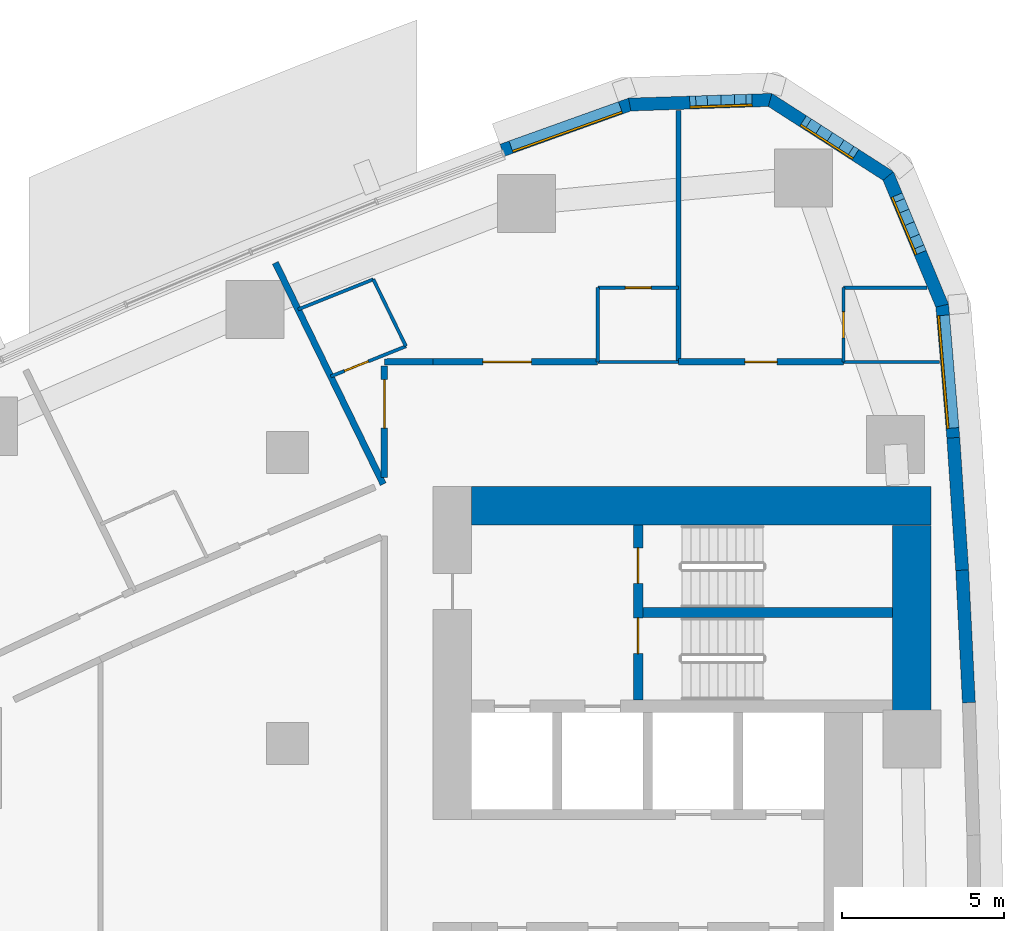
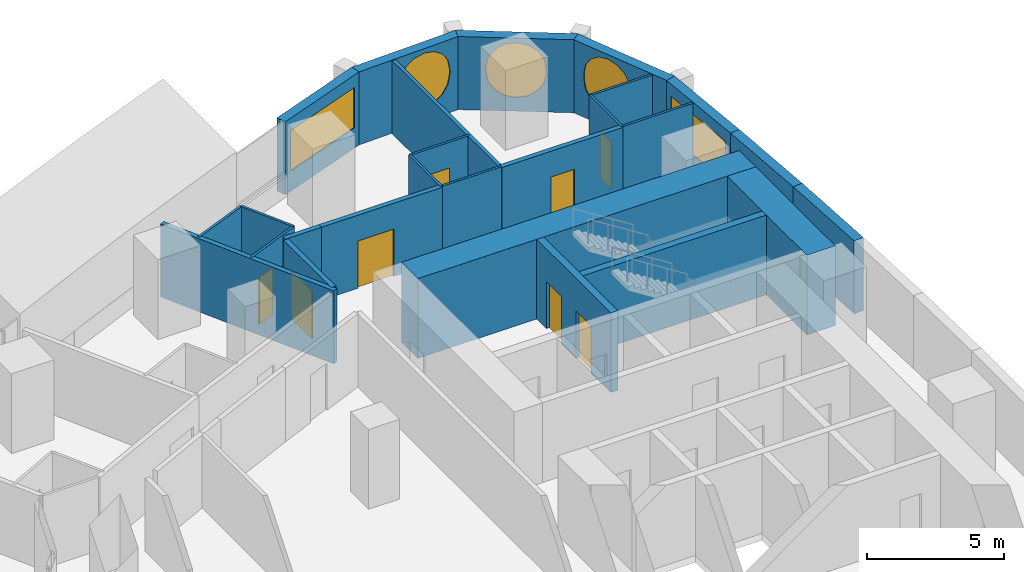
# One storey, part 13 of 19: 26 walls, 8 doors, 5 windows, 13 openings.
"""IFC4 building model written with IfcOpenShell, lengths in metres."""

from ifc_helpers import new_model, si_unit, direction, frame, frame_2d, origin, place, context, subcontext, project, spatial, polyline, rectangle, outline, extrude, material, layer, layer_set, type_object, element, fill, save


model = new_model("IFC4")

# Units and contexts
model_context = context("Model", 3, precision=1e-05, world=origin(), true_north=direction((0.0, 1.0)))
body_context = subcontext(model_context, "Body", "Model", "MODEL_VIEW")
ifc_project = project(units=[si_unit("LENGTHUNIT", "METRE"), si_unit("AREAUNIT", "SQUARE_METRE"), si_unit("VOLUMEUNIT", "CUBIC_METRE"), si_unit("PLANEANGLEUNIT", "RADIAN"), si_unit("MASSUNIT", "GRAM", prefix="KILO")], contexts=[model_context])

# Site, building, storey
site_placement = place(None, origin())
site = spatial("IfcSite", under=ifc_project, at=site_placement, CompositionType="ELEMENT")
building_placement = place(site_placement, origin())
building = spatial("IfcBuilding", under=site, at=building_placement, Name="Ostrand Prow Hotel Tower", CompositionType="ELEMENT")
storey_placement = place(building_placement, frame((0.0, 0.0, 53.800048828125)))
storey = spatial("IfcBuildingStorey", under=building, at=storey_placement, Name="L11", CompositionType="ELEMENT", Elevation=53.800048828125)

# Walls
ifc_material_1 = material(Name="Concrete C80/95", Category="concrete")
ifc_layer_1 = layer(ifc_material_1, 1.199951171875)
ifc_layer_set_1 = layer_set([ifc_layer_1], Name="Concrete C80/95")
wall_type_1 = type_object("IfcWallType", Name="Core wall 1200 C80/95", PredefinedType="SHEAR", material=ifc_layer_set_1)
wall_1_placement = place(storey_placement, frame((50.699951171875, 16.35009765625, 0.0), z_axis=(0.0, 0.0, 1.0), x_axis=(1.0, 0.0, 0.0)))
element("IfcWall", 1, at=wall_1_placement, inside=storey, type_object=wall_type_1, Name="Core wall CW-N", PredefinedType="SHEAR", context=body_context, shape_type="SweptSolid", body=[
    extrude(rectangle(XDim=14.219970703125, YDim=1.199951171875, at=frame_2d((7.10986328125, 0.0))), origin(), (0.0, 0.0, 1.0), 3.550048828125),
])
wall_2_placement = place(storey_placement, frame((64.320068359375, 9.949951171875, 0.0), z_axis=(0.0, 0.0, 1.0), x_axis=(0.0, 1.0, 0.0)))
element("IfcWall", 2, at=wall_2_placement, inside=storey, type_object=wall_type_1, Name="Core wall CW-E-N", PredefinedType="SHEAR", context=body_context, shape_type="SweptSolid", body=[
    extrude(rectangle(XDim=5.800048828125, YDim=1.199951171875, at=frame_2d((2.89990234375, 0.0))), origin(), (0.0, 0.0, 1.0), 3.550048828125),
])

# Wall, openings, doors
ifc_material_2 = material(Name="Concrete C80/95", Category="concrete")
ifc_layer_2 = layer(ifc_material_2, 0.300048828125)
ifc_layer_set_2 = layer_set([ifc_layer_2], Name="Concrete C80/95")
wall_type_2 = type_object("IfcWallType", Name="Core wall 300 C80/95", PredefinedType="SHEAR", material=ifc_layer_set_2)
wall_3_placement = place(storey_placement, frame((55.85009765625, 10.35009765625, 0.0), z_axis=(0.0, 0.0, 1.0), x_axis=(0.0, 1.0, 0.0)))
wall_3 = element("IfcWall", 3, at=wall_3_placement, inside=storey, type_object=wall_type_2, Name="Core wall PW-VN", PredefinedType="SHEAR", context=body_context, shape_type="SweptSolid", body=[
    extrude(rectangle(XDim=5.39990234375, YDim=0.300048828125, at=frame_2d((2.699951171875, 0.0))), origin(), (0.0, 0.0, 1.0), 3.550048828125),
])
opening_1_placement = place(wall_3_placement, frame((1.429931640625, 0.0, 0.0)))
opening_1 = element("IfcOpeningElement", 4, at=opening_1_placement, cuts=wall_3, Name="Opening FD1", PredefinedType="OPENING", context=body_context, shape_type="SweptSolid", body=[
    extrude(rectangle(XDim=1.10009765625, YDim=2.10009765625, at=frame_2d((0.550048828125, 1.050048828125))), frame((0.0, 0.159912109375, 0.0), z_axis=(0.0, -1.0, 0.0), x_axis=(1.0, 0.0, 0.0)), (0.0, 0.0, 1.0), 0.320068359375),
])
opening_2_placement = place(wall_3_placement, frame((3.60009765625, 0.0, 0.0)))
opening_2 = element("IfcOpeningElement", 5, at=opening_2_placement, cuts=wall_3, Name="Opening FD1", PredefinedType="OPENING", context=body_context, shape_type="SweptSolid", body=[
    extrude(rectangle(XDim=1.10009765625, YDim=2.10009765625, at=frame_2d((0.550048828125, 1.050048828125))), frame((0.0, 0.159912109375, 0.0), z_axis=(0.0, -1.0, 0.0), x_axis=(1.0, 0.0, 0.0)), (0.0, 0.0, 1.0), 0.320068359375),
])
ifc_material_3 = material(Name="Steel fire door", Category="steel")
door_type_1 = type_object("IfcDoorType", Name="Fire door 1100 EI120", OperationType="SINGLE_SWING_RIGHT", PredefinedType="DOOR", material=ifc_material_3)
door_1_placement = place(opening_1_placement, origin())
door_1 = element("IfcDoor", 6, at=door_1_placement, inside=storey, type_object=door_type_1, Name="FIRE DOOR", OperationType="SINGLE_SWING_RIGHT", OverallHeight=2.10009765625, OverallWidth=1.10009765625, PredefinedType="DOOR", context=body_context, shape_type="SweptSolid", body=[
    extrude(rectangle(XDim=1.10009765625, YDim=2.10009765625, at=frame_2d((0.550048828125, 1.050048828125))), frame((0.0, 0.02490234375, 0.0), z_axis=(0.0, -1.0, 0.0), x_axis=(1.0, 0.0, 0.0)), (0.0, 0.0, 1.0), 0.050048828125),
])
fill(opening_1, door_1)
door_2_placement = place(opening_2_placement, origin())
door_2 = element("IfcDoor", 7, at=door_2_placement, inside=storey, type_object=door_type_1, Name="FIRE DOOR", OperationType="SINGLE_SWING_RIGHT", OverallHeight=2.10009765625, OverallWidth=1.10009765625, PredefinedType="DOOR", context=body_context, shape_type="SweptSolid", body=[
    extrude(rectangle(XDim=1.10009765625, YDim=2.10009765625, at=frame_2d((0.550048828125, 1.050048828125))), frame((0.0, 0.02490234375, 0.0), z_axis=(0.0, -1.0, 0.0), x_axis=(1.0, 0.0, 0.0)), (0.0, 0.0, 1.0), 0.050048828125),
])
fill(opening_2, door_2)

# Walls
wall_4_placement = place(storey_placement, frame((56.0, 13.050048828125, 0.0), z_axis=(0.0, 0.0, 1.0), x_axis=(1.0, 0.0, 0.0)))
element("IfcWall", 8, at=wall_4_placement, inside=storey, type_object=wall_type_2, Name="Core wall PW-ST13", PredefinedType="SHEAR", context=body_context, shape_type="SweptSolid", body=[
    extrude(rectangle(XDim=7.719970703125, YDim=0.300048828125, at=frame_2d((3.85986328125, 0.0))), origin(), (0.0, 0.0, 1.0), 3.550048828125),
])
ifc_material_4 = material(Name="Plasterboard partition")
ifc_layer_3 = layer(ifc_material_4, 0.10009765625)
ifc_layer_set_3 = layer_set([ifc_layer_3], Name="Plasterboard partition")
wall_type_3 = type_object("IfcWallType", Name="Partition 100 bathroom wall", PredefinedType="PARTITIONING", material=ifc_layer_set_3)
wall_5_placement = place(storey_placement, frame((54.601806640625, 20.800048828125, 0.0), z_axis=(0.0, 0.0, 1.0), x_axis=(0.0, 1.0, 0.0)))
element("IfcWall", 9, at=wall_5_placement, inside=storey, type_object=wall_type_3, Name="BATHROOM WALL", PredefinedType="PARTITIONING", context=body_context, shape_type="SweptSolid", body=[
    extrude(rectangle(XDim=2.300048828125, YDim=0.10009765625, at=frame_2d((1.14990234375, 0.0))), origin(), (0.0, 0.0, 1.0), 3.25),
])

# Wall, opening, door
wall_6_placement = place(storey_placement, frame((54.601806640625, 23.10009765625, 0.0), z_axis=(0.0, 0.0, 1.0), x_axis=(1.0, 0.0, 0.0)))
wall_6 = element("IfcWall", 10, at=wall_6_placement, inside=storey, type_object=wall_type_3, Name="BATHROOM WALL", PredefinedType="PARTITIONING", context=body_context, shape_type="SweptSolid", body=[
    extrude(rectangle(XDim=2.5, YDim=0.10009765625, at=frame_2d((1.25, 0.0))), origin(), (0.0, 0.0, 1.0), 3.25),
])
opening_3_placement = place(wall_6_placement, frame((0.85009765625, 0.0, 0.0)))
opening_3 = element("IfcOpeningElement", 11, at=opening_3_placement, cuts=wall_6, Name="Opening D2", PredefinedType="OPENING", context=body_context, shape_type="SweptSolid", body=[
    extrude(rectangle(XDim=0.800048828125, YDim=2.10009765625, at=frame_2d((0.39990234375, 1.050048828125))), frame((0.0, 0.06005859375, 0.0), z_axis=(0.0, -1.0, 0.0), x_axis=(1.0, 0.0, 0.0)), (0.0, 0.0, 1.0), 0.1201171875),
])
ifc_material_5 = material(Name="Timber door leaf", Category="wood")
door_type_2 = type_object("IfcDoorType", Name="Bathroom door 800", OperationType="SINGLE_SWING_LEFT", PredefinedType="DOOR", material=ifc_material_5)
door_3_placement = place(opening_3_placement, origin())
door_3 = element("IfcDoor", 12, at=door_3_placement, inside=storey, type_object=door_type_2, Name="DOOR", OperationType="SINGLE_SWING_LEFT", OverallHeight=2.10009765625, OverallWidth=0.800048828125, PredefinedType="DOOR", context=body_context, shape_type="SweptSolid", body=[
    extrude(rectangle(XDim=0.800048828125, YDim=2.10009765625, at=frame_2d((0.39990234375, 1.050048828125))), frame((0.0, 0.02490234375, 0.0), z_axis=(0.0, -1.0, 0.0), x_axis=(1.0, 0.0, 0.0)), (0.0, 0.0, 1.0), 0.050048828125),
])
fill(opening_3, door_3)

wall_7_placement = place(storey_placement, frame((62.203369140625, 20.800048828125, 0.0), z_axis=(0.0, 0.0, 1.0), x_axis=(0.0, 1.0, 0.0)))
wall_7 = element("IfcWall", 13, at=wall_7_placement, inside=storey, type_object=wall_type_3, Name="BATHROOM WALL", PredefinedType="PARTITIONING", context=body_context, shape_type="SweptSolid", body=[
    extrude(rectangle(XDim=2.300048828125, YDim=0.10009765625, at=frame_2d((1.14990234375, 0.0))), origin(), (0.0, 0.0, 1.0), 3.25),
])
opening_4_placement = place(wall_7_placement, frame((0.75, 0.0, 0.0)))
opening_4 = element("IfcOpeningElement", 14, at=opening_4_placement, cuts=wall_7, Name="Opening D2", PredefinedType="OPENING", context=body_context, shape_type="SweptSolid", body=[
    extrude(rectangle(XDim=0.800048828125, YDim=2.10009765625, at=frame_2d((0.39990234375, 1.050048828125))), frame((0.0, 0.06005859375, 0.0), z_axis=(0.0, -1.0, 0.0), x_axis=(1.0, 0.0, 0.0)), (0.0, 0.0, 1.0), 0.1201171875),
])
door_4_placement = place(opening_4_placement, origin())
door_4 = element("IfcDoor", 15, at=door_4_placement, inside=storey, type_object=door_type_2, Name="DOOR", OperationType="SINGLE_SWING_LEFT", OverallHeight=2.10009765625, OverallWidth=0.800048828125, PredefinedType="DOOR", context=body_context, shape_type="SweptSolid", body=[
    extrude(rectangle(XDim=0.800048828125, YDim=2.10009765625, at=frame_2d((0.39990234375, 1.050048828125))), frame((0.0, 0.02490234375, 0.0), z_axis=(0.0, -1.0, 0.0), x_axis=(1.0, 0.0, 0.0)), (0.0, 0.0, 1.0), 0.050048828125),
])
fill(opening_4, door_4)

# Walls
wall_8_placement = place(storey_placement, frame((62.203369140625, 23.10009765625, 0.0), z_axis=(0.0, 0.0, 1.0), x_axis=(1.0, 0.0, 0.0)))
element("IfcWall", 16, at=wall_8_placement, inside=storey, type_object=wall_type_3, Name="BATHROOM WALL", PredefinedType="PARTITIONING", context=body_context, shape_type="SweptSolid", body=[
    extrude(rectangle(XDim=2.578125, YDim=0.10009765625, at=frame_2d((1.2890625, 0.0))), origin(), (0.0, 0.0, 1.0), 3.25),
])
wall_9_placement = place(storey_placement, frame((45.327880859375, 22.428466796875, 0.0), z_axis=(0.0, 0.0, 1.0), x_axis=(0.928288495333, 0.371860819975, 0.0)))
element("IfcWall", 17, at=wall_9_placement, inside=storey, type_object=wall_type_3, Name="BATHROOM WALL", PredefinedType="PARTITIONING", context=body_context, shape_type="SweptSolid", body=[
    extrude(rectangle(XDim=2.506591796875, YDim=0.10009765625, at=frame_2d((1.25341796875, 0.0))), origin(), (0.0, 0.0, 1.0), 3.25),
])
wall_10_placement = place(storey_placement, frame((47.65478515625, 23.360595703125, 0.0), z_axis=(0.0, 0.0, 1.0), x_axis=(0.438171240168, -0.898891519756, 0.0)))
element("IfcWall", 18, at=wall_10_placement, inside=storey, type_object=wall_type_3, Name="BATHROOM WALL", PredefinedType="PARTITIONING", context=body_context, shape_type="SweptSolid", body=[
    extrude(rectangle(XDim=2.30615234375, YDim=0.10009765625, at=frame_2d((1.153076171875, 0.0))), origin(), (0.0, 0.0, 1.0), 3.25),
])

# Wall, opening, door
wall_11_placement = place(storey_placement, frame((48.665283203125, 21.28759765625, 0.0), z_axis=(0.0, 0.0, 1.0), x_axis=(-0.928288495333, -0.371860819975, 0.0)))
wall_11 = element("IfcWall", 19, at=wall_11_placement, inside=storey, type_object=wall_type_3, Name="BATHROOM WALL", PredefinedType="PARTITIONING", context=body_context, shape_type="SweptSolid", body=[
    extrude(rectangle(XDim=2.506591796875, YDim=0.10009765625, at=frame_2d((1.25341796875, 0.0))), origin(), (0.0, 0.0, 1.0), 3.25),
])
opening_5_placement = place(wall_11_placement, frame((1.25, 0.0, 0.0)))
opening_5 = element("IfcOpeningElement", 20, at=opening_5_placement, cuts=wall_11, Name="Opening D2", PredefinedType="OPENING", context=body_context, shape_type="SweptSolid", body=[
    extrude(rectangle(XDim=0.800048828125, YDim=2.10009765625, at=frame_2d((0.39990234375, 1.050048828125))), frame((0.0, 0.06005859375, 0.0), z_axis=(0.0, -1.0, 0.0), x_axis=(1.0, 0.0, 0.0)), (0.0, 0.0, 1.0), 0.1201171875),
])
door_5_placement = place(opening_5_placement, origin())
door_5 = element("IfcDoor", 21, at=door_5_placement, inside=storey, type_object=door_type_2, Name="DOOR", OperationType="SINGLE_SWING_LEFT", OverallHeight=2.10009765625, OverallWidth=0.800048828125, PredefinedType="DOOR", context=body_context, shape_type="SweptSolid", body=[
    extrude(rectangle(XDim=0.800048828125, YDim=2.10009765625, at=frame_2d((0.39990234375, 1.050048828125))), frame((0.0, 0.02490234375, 0.0), z_axis=(0.0, -1.0, 0.0), x_axis=(1.0, 0.0, 0.0)), (0.0, 0.0, 1.0), 0.050048828125),
])
fill(opening_5, door_5)

# Walls
wall_12_placement = place(storey_placement, frame((57.101806640625, 20.804931640625, 0.0), z_axis=(0.0, 0.0, 1.0), x_axis=(-1.0, 0.0, 0.0)))
element("IfcWall", 22, at=wall_12_placement, inside=storey, type_object=wall_type_3, Name="BATHROOM WALL", PredefinedType="PARTITIONING", context=body_context, shape_type="SweptSolid", body=[
    extrude(rectangle(XDim=2.5, YDim=0.10009765625, at=frame_2d((1.25, 0.0))), origin(), (0.0, 0.0, 1.0), 3.25),
])
wall_13_placement = place(storey_placement, frame((65.174560546875, 20.804931640625, 0.0), z_axis=(0.0, 0.0, 1.0), x_axis=(-1.0, 0.0, 0.0)))
element("IfcWall", 23, at=wall_13_placement, inside=storey, type_object=wall_type_3, Name="BATHROOM WALL", PredefinedType="PARTITIONING", context=body_context, shape_type="SweptSolid", body=[
    extrude(rectangle(XDim=2.97119140625, YDim=0.10009765625, at=frame_2d((1.485595703125, 0.0))), origin(), (0.0, 0.0, 1.0), 3.25),
])
ifc_material_6 = material(Name="Plasterboard partition")
ifc_layer_4 = layer(ifc_material_6, 0.14990234375)
ifc_layer_set_4 = layer_set([ifc_layer_4], Name="Plasterboard partition")
wall_type_4 = type_object("IfcWallType", Name="Partition 150 room partition", PredefinedType="PARTITIONING", material=ifc_layer_set_4)
wall_14_placement = place(storey_placement, frame((57.101806640625, 20.800048828125, 0.0), z_axis=(0.0, 0.0, 1.0), x_axis=(0.0, 1.0, 0.0)))
element("IfcWall", 24, at=wall_14_placement, inside=storey, type_object=wall_type_4, Name="ROOM PARTITION", PredefinedType="PARTITIONING", context=body_context, shape_type="SweptSolid", body=[
    extrude(rectangle(XDim=7.786865234375, YDim=0.14990234375, at=frame_2d((3.8935546875, 0.0))), origin(), (0.0, 0.0, 1.0), 3.25),
])

# Wall, opening, door
ifc_material_7 = material(Name="Plasterboard partition")
ifc_layer_5 = layer(ifc_material_7, 0.199951171875)
ifc_layer_set_5 = layer_set([ifc_layer_5], Name="Plasterboard partition")
wall_type_5 = type_object("IfcWallType", Name="Partition 200 corridor wall", PredefinedType="PARTITIONING", material=ifc_layer_set_5)
wall_15_placement = place(storey_placement, frame((54.5966796875, 20.804931640625, 0.0), z_axis=(0.0, 0.0, 1.0), x_axis=(-1.0, 0.0, 0.0)))
wall_15 = element("IfcWall", 25, at=wall_15_placement, inside=storey, type_object=wall_type_5, Name="CORRIDOR WALL", PredefinedType="PARTITIONING", context=body_context, shape_type="SweptSolid", body=[
    extrude(rectangle(XDim=5.0966796875, YDim=0.199951171875, at=frame_2d((2.54833984375, 0.0))), origin(), (0.0, 0.0, 1.0), 3.25),
])
opening_6_placement = place(wall_15_placement, frame((2.04833984375, 0.0, 0.0)))
opening_6 = element("IfcOpeningElement", 26, at=opening_6_placement, cuts=wall_15, Name="Opening D15", PredefinedType="OPENING", context=body_context, shape_type="SweptSolid", body=[
    extrude(rectangle(XDim=1.5, YDim=2.10009765625, at=frame_2d((0.75, 1.050048828125))), frame((0.0, 0.10986328125, 0.0), z_axis=(0.0, -1.0, 0.0), x_axis=(1.0, 0.0, 0.0)), (0.0, 0.0, 1.0), 0.219970703125),
])
ifc_material_8 = material(Name="Timber door leaf", Category="wood")
door_type_3 = type_object("IfcDoorType", Name="Double door 1500", OperationType="DOUBLE_DOOR_SINGLE_SWING", PredefinedType="DOOR", material=ifc_material_8)
door_6_placement = place(opening_6_placement, origin())
door_6 = element("IfcDoor", 27, at=door_6_placement, inside=storey, type_object=door_type_3, Name="DOOR", OperationType="DOUBLE_DOOR_SINGLE_SWING", OverallHeight=2.10009765625, OverallWidth=1.5, PredefinedType="DOOR", context=body_context, shape_type="SweptSolid", body=[
    extrude(rectangle(XDim=1.5, YDim=2.10009765625, at=frame_2d((0.75, 1.050048828125))), frame((0.0, 0.02490234375, 0.0), z_axis=(0.0, -1.0, 0.0), x_axis=(1.0, 0.0, 0.0)), (0.0, 0.0, 1.0), 0.050048828125),
])
fill(opening_6, door_6)

wall_16_placement = place(storey_placement, frame((62.1982421875, 20.804931640625, 0.0), z_axis=(0.0, 0.0, 1.0), x_axis=(-1.0, 0.0, 0.0)))
wall_16 = element("IfcWall", 28, at=wall_16_placement, inside=storey, type_object=wall_type_5, Name="CORRIDOR WALL", PredefinedType="PARTITIONING", context=body_context, shape_type="SweptSolid", body=[
    extrude(rectangle(XDim=5.091552734375, YDim=0.199951171875, at=frame_2d((2.5458984375, 0.0))), origin(), (0.0, 0.0, 1.0), 3.25),
])
opening_7_placement = place(wall_16_placement, frame((2.0458984375, 0.0, 0.0)))
opening_7 = element("IfcOpeningElement", 29, at=opening_7_placement, cuts=wall_16, Name="Opening D1", PredefinedType="OPENING", context=body_context, shape_type="SweptSolid", body=[
    extrude(rectangle(XDim=1.0, YDim=2.10009765625, at=frame_2d((0.5, 1.050048828125))), frame((0.0, 0.10986328125, 0.0), z_axis=(0.0, -1.0, 0.0), x_axis=(1.0, 0.0, 0.0)), (0.0, 0.0, 1.0), 0.219970703125),
])
ifc_material_9 = material(Name="Timber door leaf", Category="wood")
door_type_4 = type_object("IfcDoorType", Name="Guest room door 1000", OperationType="SINGLE_SWING_LEFT", PredefinedType="DOOR", material=ifc_material_9)
door_7_placement = place(opening_7_placement, origin())
door_7 = element("IfcDoor", 30, at=door_7_placement, inside=storey, type_object=door_type_4, Name="DOOR", OperationType="SINGLE_SWING_LEFT", OverallHeight=2.10009765625, OverallWidth=1.0, PredefinedType="DOOR", context=body_context, shape_type="SweptSolid", body=[
    extrude(rectangle(XDim=1.0, YDim=2.10009765625, at=frame_2d((0.5, 1.050048828125))), frame((0.0, 0.02490234375, 0.0), z_axis=(0.0, -1.0, 0.0), x_axis=(1.0, 0.0, 0.0)), (0.0, 0.0, 1.0), 0.050048828125),
])
fill(opening_7, door_7)

# Wall
wall_17_placement = place(storey_placement, frame((49.5, 20.804931640625, 0.0), z_axis=(0.0, 0.0, 1.0), x_axis=(-0.999998104399, -0.001947099992, 0.0)))
element("IfcWall", 31, at=wall_17_placement, inside=storey, type_object=wall_type_5, Name="CORRIDOR WALL", PredefinedType="PARTITIONING", context=body_context, shape_type="SweptSolid", body=[
    extrude(rectangle(XDim=1.504638671875, YDim=0.199951171875, at=frame_2d((0.75244140625, 0.0))), origin(), (0.0, 0.0, 1.0), 3.25),
])

# Wall, opening, door
wall_18_placement = place(storey_placement, frame((47.99560546875, 20.681884765625, 0.0), z_axis=(0.0, 0.0, 1.0), x_axis=(0.000847217996, -0.999999641111, 0.0)))
wall_18 = element("IfcWall", 32, at=wall_18_placement, inside=storey, type_object=wall_type_5, Name="CORRIDOR WALL", PredefinedType="PARTITIONING", context=body_context, shape_type="SweptSolid", body=[
    extrude(rectangle(XDim=3.4580078125, YDim=0.199951171875, at=frame_2d((1.72900390625, 0.0))), origin(), (0.0, 0.0, 1.0), 3.25),
])
opening_8_placement = place(wall_18_placement, frame((0.428955078125, 0.0, 0.0)))
opening_8 = element("IfcOpeningElement", 33, at=opening_8_placement, cuts=wall_18, Name="Opening D15", PredefinedType="OPENING", context=body_context, shape_type="SweptSolid", body=[
    extrude(rectangle(XDim=1.5, YDim=2.10009765625, at=frame_2d((0.75, 1.050048828125))), frame((0.0, 0.10986328125, 0.0), z_axis=(0.0, -1.0, 0.0), x_axis=(1.0, 0.0, 0.0)), (0.0, 0.0, 1.0), 0.219970703125),
])
door_8_placement = place(opening_8_placement, origin())
door_8 = element("IfcDoor", 34, at=door_8_placement, inside=storey, type_object=door_type_3, Name="DOOR", OperationType="DOUBLE_DOOR_SINGLE_SWING", OverallHeight=2.10009765625, OverallWidth=1.5, PredefinedType="DOOR", context=body_context, shape_type="SweptSolid", body=[
    extrude(rectangle(XDim=1.5, YDim=2.10009765625, at=frame_2d((0.75, 1.050048828125))), frame((0.0, 0.02490234375, 0.0), z_axis=(0.0, -1.0, 0.0), x_axis=(1.0, 0.0, 0.0)), (0.0, 0.0, 1.0), 0.050048828125),
])
fill(opening_8, door_8)

# Walls
ifc_material_10 = material(Name="Plasterboard partition")
ifc_layer_6 = layer(ifc_material_10, 0.199951171875)
ifc_layer_set_6 = layer_set([ifc_layer_6], Name="Plasterboard partition")
wall_type_6 = type_object("IfcWallType", Name="Partition 200 key partition", PredefinedType="PARTITIONING", material=ifc_layer_set_6)
wall_19_placement = place(storey_placement, frame((47.964111328125, 17.02099609375, 0.0), z_axis=(0.0, 0.0, 1.0), x_axis=(-0.438207101073, 0.898874038211, 0.0)))
element("IfcWall", 35, at=wall_19_placement, inside=storey, type_object=wall_type_6, Name="KEY PARTITION", PredefinedType="PARTITIONING", context=body_context, shape_type="SweptSolid", body=[
    extrude(rectangle(XDim=7.619873046875, YDim=0.199951171875, at=frame_2d((3.81005859375, 0.0))), origin(), (0.0, 0.0, 1.0), 3.25),
])
ifc_material_11 = material(Name="Precast concrete C40/50", Category="concrete")
ifc_layer_7 = layer(ifc_material_11, 0.39990234375)
ifc_layer_set_7 = layer_set([ifc_layer_7], Name="Precast concrete C40/50")
wall_type_7 = type_object("IfcWallType", Name="Stone-faced precast wall 400 mm", PredefinedType="NOTDEFINED", material=ifc_layer_set_7)
for number, where, z_axis, x_axis, name in (
    (36, (66.084716796875, 10.259765625, 0.0), (0.0, 0.0, 1.0), (-0.050314326423, 0.998733432181, 0.0), "Stone-faced wall back 13"),
    (37, (65.878173828125, 14.359619140625, 0.0), (0.0, 0.0, 1.0), (-0.067087430225, 0.997747100575, 0.0), "Stone-faced wall back 14"),
):
    element("IfcWall", number, at=place(storey_placement, frame(where, z_axis=z_axis, x_axis=x_axis)), inside=storey, type_object=wall_type_7, Name=name, PredefinedType="NOTDEFINED", context=body_context, shape_type="SweptSolid", body=[
        extrude(outline(polyline([(-0.001708984375, -0.199951171875), (4.106689453125, -0.199951171875), (4.103271484375, 0.199951171875), (0.001708984375, 0.199951171875), (-0.001708984375, -0.199951171875)])), origin(), (0.0, 0.0, 1.0), 3.25),
    ])

# Wall, opening, window
wall_20_placement = place(storey_placement, frame((65.602783203125, 18.455322265625, 0.0), z_axis=(0.0, 0.0, 1.0), x_axis=(-0.083793550906, 0.996483136248, 0.0)))
wall_20 = element("IfcWall", 38, at=wall_20_placement, inside=storey, type_object=wall_type_7, Name="Stone-faced wall back 15", PredefinedType="NOTDEFINED", context=body_context, shape_type="SweptSolid", body=[
    extrude(outline(polyline([(-0.001708984375, -0.199951171875), (4.136474609375, -0.199951171875), (4.073974609375, 0.199951171875), (0.001708984375, 0.199951171875), (-0.001708984375, -0.199951171875)])), origin(), (0.0, 0.0, 1.0), 3.25),
])
opening_9_placement = place(wall_20_placement, frame((0.302490234375, 0.0, 0.89990234375)))
opening_9 = element("IfcOpeningElement", 39, at=opening_9_placement, cuts=wall_20, Name="Opening WS3-35", PredefinedType="OPENING", context=body_context, shape_type="SweptSolid", body=[
    extrude(rectangle(XDim=3.5, YDim=1.800048828125, at=frame_2d((1.75, 0.89990234375))), frame((0.0, 0.2099609375, 0.0), z_axis=(0.0, -1.0, 0.0), x_axis=(1.0, 0.0, 0.0)), (0.0, 0.0, 1.0), 0.419921875),
])
ifc_material_12 = material(Name="Insulated glass in bronze frame", Category="glass")
window_type_1 = type_object("IfcWindowType", Name="Strip window 3500x1800", PartitioningType="SINGLE_PANEL", PredefinedType="WINDOW", material=ifc_material_12)
window_1_placement = place(opening_9_placement, origin())
window_1 = element("IfcWindow", 40, at=window_1_placement, inside=storey, type_object=window_type_1, Name="Window back 15.1", OverallHeight=1.800048828125, OverallWidth=3.5, PartitioningType="SINGLE_PANEL", PredefinedType="WINDOW", context=body_context, shape_type="SweptSolid", body=[
    extrude(rectangle(XDim=3.5, YDim=1.800048828125, at=frame_2d((1.75, 0.89990234375))), frame((0.0, 0.169921875, 0.0), z_axis=(0.0, -1.0, 0.0), x_axis=(1.0, 0.0, 0.0)), (0.0, 0.0, 1.0), 0.06005859375),
])
fill(opening_9, window_1)

wall_21_placement = place(storey_placement, frame((65.2587890625, 22.546142578125, 0.0), z_axis=(0.0, 0.0, 1.0), x_axis=(-0.384372042685, 0.923178277908, 0.0)))
wall_21 = element("IfcWall", 41, at=wall_21_placement, inside=storey, type_object=wall_type_7, Name="Stone-faced wall back 16", PredefinedType="NOTDEFINED", context=body_context, shape_type="SweptSolid", body=[
    extrude(outline(polyline([(-0.03125, -0.199951171875), (4.408203125, -0.199951171875), (4.283203125, 0.199951171875), (0.03125, 0.199951171875), (-0.03125, -0.199951171875)])), origin(), (0.0, 0.0, 1.0), 3.25),
])
opening_10_placement = place(wall_21_placement, frame((1.630615234375, 0.0, 0.60009765625)))
opening_10 = element("IfcOpeningElement", 42, at=opening_10_placement, cuts=wall_21, Name="Opening WP1", PredefinedType="OPENING", context=body_context, shape_type="SweptSolid", body=[
    extrude(outline(polyline([(0.0, 1.35009765625), (0.083740234375, 1.77099609375), (0.322265625, 2.127685546875), (0.678955078125, 2.3662109375), (1.10009765625, 2.449951171875), (1.52099609375, 2.3662109375), (1.877685546875, 2.127685546875), (2.1162109375, 1.77099609375), (2.199951171875, 1.35009765625), (2.199951171875, 1.10009765625), (2.1162109375, 0.678955078125), (1.877685546875, 0.322265625), (1.52099609375, 0.083740234375), (1.10009765625, 0.0), (0.678955078125, 0.083740234375), (0.322265625, 0.322265625), (0.083740234375, 0.678955078125), (0.0, 1.099853515625), (0.0, 1.35009765625)])), frame((0.0, 0.2099609375, 0.0), z_axis=(0.0, -1.0, 0.0), x_axis=(1.0, 0.0, 0.0)), (0.0, 0.0, 1.0), 0.419921875),
])
ifc_material_13 = material(Name="Insulated glass in bronze frame", Category="glass")
window_type_2 = type_object("IfcWindowType", Name="Round-ended prow window 2200x2450", PartitioningType="SINGLE_PANEL", PredefinedType="WINDOW", material=ifc_material_13)
window_2_placement = place(opening_10_placement, origin())
window_2 = element("IfcWindow", 43, at=window_2_placement, inside=storey, type_object=window_type_2, Name="Window back 16.1", OverallHeight=2.449951171875, OverallWidth=2.199951171875, PartitioningType="SINGLE_PANEL", PredefinedType="WINDOW", context=body_context, shape_type="SweptSolid", body=[
    extrude(outline(polyline([(0.0, 1.35009765625), (0.083740234375, 1.77099609375), (0.322265625, 2.127685546875), (0.678955078125, 2.3662109375), (1.10009765625, 2.449951171875), (1.52099609375, 2.3662109375), (1.877685546875, 2.127685546875), (2.1162109375, 1.77099609375), (2.199951171875, 1.35009765625), (2.199951171875, 1.10009765625), (2.1162109375, 0.678955078125), (1.877685546875, 0.322265625), (1.52099609375, 0.083740234375), (1.10009765625, 0.0), (0.678955078125, 0.083740234375), (0.322265625, 0.322265625), (0.083740234375, 0.678955078125), (0.0, 1.099853515625), (0.0, 1.35009765625)])), frame((0.0, 0.169921875, 0.0), z_axis=(0.0, -1.0, 0.0), x_axis=(1.0, 0.0, 0.0)), (0.0, 0.0, 1.0), 0.06005859375),
])
fill(opening_10, window_2)

wall_22_placement = place(storey_placement, frame((63.58837890625, 26.55810546875, 0.0), z_axis=(0.0, 0.0, 1.0), x_axis=(-0.840937468718, 0.541132307025, 0.0)))
wall_22 = element("IfcWall", 44, at=wall_22_placement, inside=storey, type_object=wall_type_7, Name="Stone-faced wall back 17", PredefinedType="NOTDEFINED", context=body_context, shape_type="SweptSolid", body=[
    extrude(outline(polyline([(-0.0625, -0.199951171875), (4.40869140625, -0.199951171875), (4.28369140625, 0.199951171875), (0.0625, 0.199951171875), (-0.0625, -0.199951171875)])), origin(), (0.0, 0.0, 1.0), 3.25),
])
opening_11_placement = place(wall_22_placement, frame((1.072998046875, 0.0, 0.60009765625)))
opening_11 = element("IfcOpeningElement", 45, at=opening_11_placement, cuts=wall_22, Name="Opening WP1", PredefinedType="OPENING", context=body_context, shape_type="SweptSolid", body=[
    extrude(outline(polyline([(0.0, 1.35009765625), (0.083740234375, 1.77099609375), (0.322265625, 2.127685546875), (0.678955078125, 2.3662109375), (1.10009765625, 2.449951171875), (1.52099609375, 2.3662109375), (1.877685546875, 2.127685546875), (2.1162109375, 1.77099609375), (2.199951171875, 1.35009765625), (2.199951171875, 1.10009765625), (2.1162109375, 0.678955078125), (1.877685546875, 0.322265625), (1.52099609375, 0.083740234375), (1.10009765625, 0.0), (0.678955078125, 0.083740234375), (0.322265625, 0.322265625), (0.083740234375, 0.678955078125), (0.0, 1.099853515625), (0.0, 1.35009765625)])), frame((0.0, 0.2099609375, 0.0), z_axis=(0.0, -1.0, 0.0), x_axis=(1.0, 0.0, 0.0)), (0.0, 0.0, 1.0), 0.419921875),
])
window_3_placement = place(opening_11_placement, origin())
window_3 = element("IfcWindow", 46, at=window_3_placement, inside=storey, type_object=window_type_2, Name="Window back 17.1", OverallHeight=2.449951171875, OverallWidth=2.199951171875, PartitioningType="SINGLE_PANEL", PredefinedType="WINDOW", context=body_context, shape_type="SweptSolid", body=[
    extrude(outline(polyline([(0.0, 1.35009765625), (0.083740234375, 1.77099609375), (0.322265625, 2.127685546875), (0.678955078125, 2.3662109375), (1.10009765625, 2.449951171875), (1.52099609375, 2.3662109375), (1.877685546875, 2.127685546875), (2.1162109375, 1.77099609375), (2.199951171875, 1.35009765625), (2.199951171875, 1.10009765625), (2.1162109375, 0.678955078125), (1.877685546875, 0.322265625), (1.52099609375, 0.083740234375), (1.10009765625, 0.0), (0.678955078125, 0.083740234375), (0.322265625, 0.322265625), (0.083740234375, 0.678955078125), (0.0, 1.099853515625), (0.0, 1.35009765625)])), frame((0.0, 0.169921875, 0.0), z_axis=(0.0, -1.0, 0.0), x_axis=(1.0, 0.0, 0.0)), (0.0, 0.0, 1.0), 0.06005859375),
])
fill(opening_11, window_3)

wall_23_placement = place(storey_placement, frame((59.93359375, 28.909912109375, 0.0), z_axis=(0.0, 0.0, 1.0), x_axis=(-0.999463576228, -0.032749958686, 0.0)))
wall_23 = element("IfcWall", 47, at=wall_23_placement, inside=storey, type_object=wall_type_7, Name="Stone-faced wall back 18", PredefinedType="NOTDEFINED", context=body_context, shape_type="SweptSolid", body=[
    extrude(outline(polyline([(-0.0625, -0.199951171875), (4.377685546875, -0.199951171875), (4.314697265625, 0.199951171875), (0.0625, 0.199951171875), (-0.0625, -0.199951171875)])), origin(), (0.0, 0.0, 1.0), 3.25),
])
opening_12_placement = place(wall_23_placement, frame((0.421875, 0.0, 0.60009765625)))
opening_12 = element("IfcOpeningElement", 48, at=opening_12_placement, cuts=wall_23, Name="Opening WP1", PredefinedType="OPENING", context=body_context, shape_type="SweptSolid", body=[
    extrude(outline(polyline([(0.0, 1.35009765625), (0.083740234375, 1.77099609375), (0.322265625, 2.127685546875), (0.678955078125, 2.3662109375), (1.10009765625, 2.449951171875), (1.52099609375, 2.3662109375), (1.877685546875, 2.127685546875), (2.1162109375, 1.77099609375), (2.199951171875, 1.35009765625), (2.199951171875, 1.10009765625), (2.1162109375, 0.678955078125), (1.877685546875, 0.322265625), (1.52099609375, 0.083740234375), (1.10009765625, 0.0), (0.678955078125, 0.083740234375), (0.322265625, 0.322265625), (0.083740234375, 0.678955078125), (0.0, 1.099853515625), (0.0, 1.35009765625)])), frame((0.0, 0.2099609375, 0.0), z_axis=(0.0, -1.0, 0.0), x_axis=(1.0, 0.0, 0.0)), (0.0, 0.0, 1.0), 0.419921875),
])
window_4_placement = place(opening_12_placement, origin())
window_4 = element("IfcWindow", 49, at=window_4_placement, inside=storey, type_object=window_type_2, Name="Window back 18.1", OverallHeight=2.449951171875, OverallWidth=2.199951171875, PartitioningType="SINGLE_PANEL", PredefinedType="WINDOW", context=body_context, shape_type="SweptSolid", body=[
    extrude(outline(polyline([(0.0, 1.35009765625), (0.083740234375, 1.77099609375), (0.322265625, 2.127685546875), (0.678955078125, 2.3662109375), (1.10009765625, 2.449951171875), (1.52099609375, 2.3662109375), (1.877685546875, 2.127685546875), (2.1162109375, 1.77099609375), (2.199951171875, 1.35009765625), (2.199951171875, 1.10009765625), (2.1162109375, 0.678955078125), (1.877685546875, 0.322265625), (1.52099609375, 0.083740234375), (1.10009765625, 0.0), (0.678955078125, 0.083740234375), (0.322265625, 0.322265625), (0.083740234375, 0.678955078125), (0.0, 1.099853515625), (0.0, 1.35009765625)])), frame((0.0, 0.169921875, 0.0), z_axis=(0.0, -1.0, 0.0), x_axis=(1.0, 0.0, 0.0)), (0.0, 0.0, 1.0), 0.06005859375),
])
fill(opening_12, window_4)

wall_24_placement = place(storey_placement, frame((55.58984375, 28.767578125, 0.0), z_axis=(0.0, 0.0, 1.0), x_axis=(-0.941339752885, -0.337460323057, 0.0)))
wall_24 = element("IfcWall", 50, at=wall_24_placement, inside=storey, type_object=wall_type_7, Name="Stone-faced wall back 19", PredefinedType="NOTDEFINED", context=body_context, shape_type="SweptSolid", body=[
    extrude(outline(polyline([(-0.031494140625, -0.199951171875), (4.196044921875, -0.199951171875), (4.196044921875, 0.199951171875), (0.031494140625, 0.199951171875), (-0.031494140625, -0.199951171875)])), origin(), (0.0, 0.0, 1.0), 3.25),
])
opening_13_placement = place(wall_24_placement, frame((0.298095703125, 0.0, 0.89990234375)))
opening_13 = element("IfcOpeningElement", 51, at=opening_13_placement, cuts=wall_24, Name="Opening WS3-36", PredefinedType="OPENING", context=body_context, shape_type="SweptSolid", body=[
    extrude(rectangle(XDim=3.60009765625, YDim=1.800048828125, at=frame_2d((1.800048828125, 0.89990234375))), frame((0.0, 0.2099609375, 0.0), z_axis=(0.0, -1.0, 0.0), x_axis=(1.0, 0.0, 0.0)), (0.0, 0.0, 1.0), 0.419921875),
])
ifc_material_14 = material(Name="Insulated glass in bronze frame", Category="glass")
window_type_3 = type_object("IfcWindowType", Name="Strip window 3600x1800", PartitioningType="SINGLE_PANEL", PredefinedType="WINDOW", material=ifc_material_14)
window_5_placement = place(opening_13_placement, origin())
window_5 = element("IfcWindow", 52, at=window_5_placement, inside=storey, type_object=window_type_3, Name="Window back 19.1", OverallHeight=1.800048828125, OverallWidth=3.60009765625, PartitioningType="SINGLE_PANEL", PredefinedType="WINDOW", context=body_context, shape_type="SweptSolid", body=[
    extrude(rectangle(XDim=3.60009765625, YDim=1.800048828125, at=frame_2d((1.800048828125, 0.89990234375))), frame((0.0, 0.169921875, 0.0), z_axis=(0.0, -1.0, 0.0), x_axis=(1.0, 0.0, 0.0)), (0.0, 0.0, 1.0), 0.06005859375),
])
fill(opening_13, window_5)

save(model, "model.ifc")
